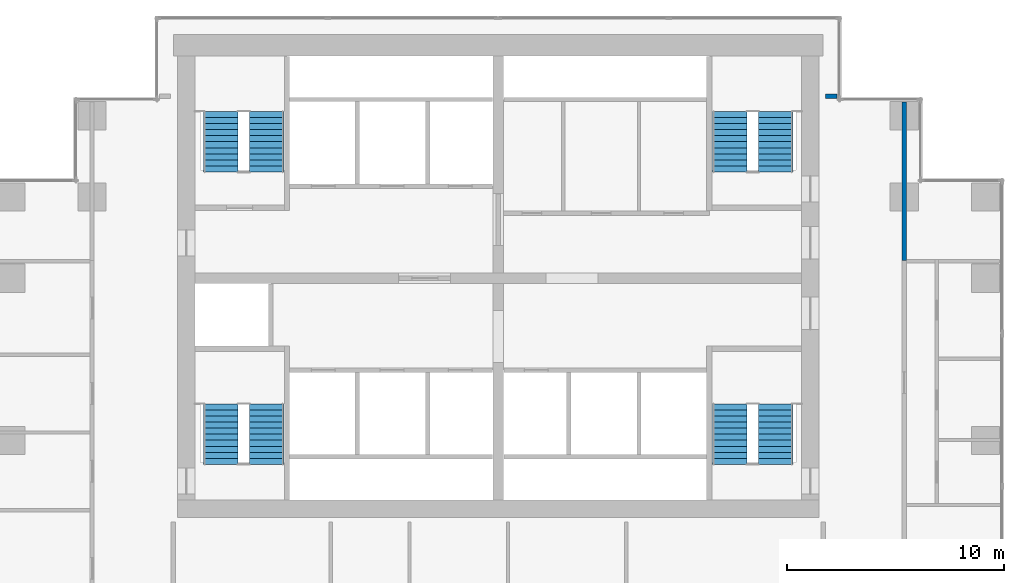
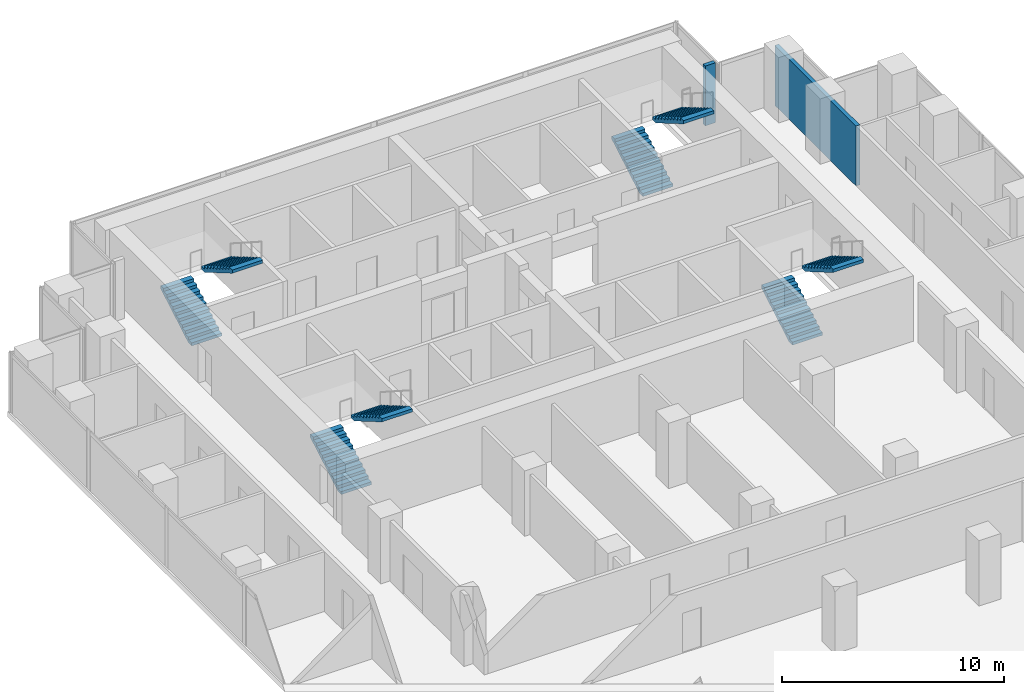
# One storey, part 9 of 10: 8 stair flights, 2 walls, 4 elements without a shape of their own.
"""IFC4 building model written with IfcOpenShell, lengths in metres."""

from ifc_helpers import new_model, si_unit, direction, frame, frame_2d, origin, place, context, subcontext, project, spatial, polyline, rectangle, outline, extrude, material, layer, layer_set, type_object, element, aggregate, save


model = new_model("IFC4")

# Units and contexts
model_context = context("Model", 3, precision=1e-05, world=origin(), true_north=direction((0.0, 1.0)))
body_context = subcontext(model_context, "Body", "Model", "MODEL_VIEW")
ifc_project = project(units=[si_unit("LENGTHUNIT", "METRE"), si_unit("AREAUNIT", "SQUARE_METRE"), si_unit("VOLUMEUNIT", "CUBIC_METRE"), si_unit("PLANEANGLEUNIT", "RADIAN"), si_unit("MASSUNIT", "GRAM", prefix="KILO")], contexts=[model_context])

# Site, building, storey
site_placement = place(None, origin())
site = spatial("IfcSite", under=ifc_project, at=site_placement, CompositionType="ELEMENT")
building_placement = place(site_placement, origin())
building = spatial("IfcBuilding", under=site, at=building_placement, Name="Pilkhan Gate Tower", CompositionType="ELEMENT")
storey_placement = place(building_placement, frame((0.0, 0.0, 132.39990234375)))
storey = spatial("IfcBuildingStorey", under=building, at=storey_placement, Name="L33", CompositionType="ELEMENT", Elevation=132.39990234375)

# Walls
ifc_material_1 = material(Name="Dense blockwork", Category="masonry")
ifc_layer = layer(ifc_material_1, 0.199951171875)
ifc_layer_set = layer_set([ifc_layer], Name="Corridor wall FW200")
wall_type = type_object("IfcWallType", Name="Corridor wall FW200", PredefinedType="PARTITIONING", material=ifc_layer_set)
wall_1_placement = place(storey_placement, frame((90.1201171875, 90.89990234375, 0.0), z_axis=(0.0, 0.0, 1.0), x_axis=(1.0, 0.0, 0.0)))
element("IfcWall", 1, at=wall_1_placement, inside=storey, type_object=wall_type, Name="Partition L33", PredefinedType="PARTITIONING", context=body_context, shape_type="SweptSolid", body=[
    extrude(rectangle(XDim=0.52490234375, YDim=0.199951171875, at=frame_2d((0.262451171875, 0.0))), origin(), (0.0, 0.0, 1.0), 3.300048828125),
])
wall_2_placement = place(storey_placement, frame((93.75, 83.31005859375, 0.0), z_axis=(0.0, 0.0, 1.0), x_axis=(0.0, 1.0, 0.0)))
element("IfcWall", 2, at=wall_2_placement, inside=storey, type_object=wall_type, Name="Partition L33", PredefinedType="PARTITIONING", context=body_context, shape_type="SweptSolid", body=[
    extrude(rectangle(XDim=7.3349609375, YDim=0.199951171875, at=frame_2d((3.66748046875, 0.0))), origin(), (0.0, 0.0, 1.0), 3.300048828125),
])

# Stair, stair flights
ifc_material_2 = material(Name="Concrete C40/50 precast", Category="concrete")
stair_type_1 = type_object("IfcStairType", Name="Stair ST1 164x280", PredefinedType="HALF_TURN_STAIR", material=ifc_material_2)
stair_1_placement = place(storey_placement, origin())
stair_1 = element("IfcStair", 3, at=stair_1_placement, inside=storey, type_object=stair_type_1, Name="Stair ST1 L33", PredefinedType="HALF_TURN_STAIR")
stair_flight_type_1 = type_object("IfcStairFlightType", Name="Stair flight ST1 164x280x11", PredefinedType="STRAIGHT", material=ifc_material_2)
stair_flight_1_placement = place(storey_placement, frame((85.68994140625, 73.89990234375, 0.0), z_axis=(0.0, 0.0, 1.0), x_axis=(0.0, 1.0, 0.0)))
stair_flight_1 = element("IfcStairFlight", 4, at=stair_flight_1_placement, type_object=stair_flight_type_1, Name="ST1 flight 1", NumberOfRisers=11, NumberOfTreads=10, PredefinedType="STRAIGHT", RiserHeight=0.163636364, TreadLength=0.28, context=body_context, shape_type="SweptSolid", body=[
    extrude(outline(polyline([(0.0, 0.0), (0.0, 0.16357421875), (0.280029296875, 0.16357421875), (0.280029296875, 0.327392578125), (0.56005859375, 0.327392578125), (0.56005859375, 0.490966796875), (0.840087890625, 0.490966796875), (0.840087890625, 0.654541015625), (1.1201171875, 0.654541015625), (1.1201171875, 0.818115234375), (1.39990234375, 0.818115234375), (1.39990234375, 0.98193359375), (1.679931640625, 0.98193359375), (1.679931640625, 1.1455078125), (1.9599609375, 1.1455078125), (1.9599609375, 1.30908203125), (2.239990234375, 1.30908203125), (2.239990234375, 1.47265625), (2.52001953125, 1.47265625), (2.52001953125, 1.636474609375), (2.800048828125, 1.636474609375), (2.800048828125, 1.800048828125), (2.800048828125, 1.462646484375), (0.297119140625, 0.0), (0.0, 0.0)])), frame((0.0, 0.7900390625, 0.0), z_axis=(0.0, -1.0, 0.0), x_axis=(1.0, 0.0, 0.0)), (0.0, 0.0, 1.0), 1.580078125),
])
stair_flight_2_placement = place(storey_placement, frame((87.81005859375, 76.699951171875, 1.800048828125), z_axis=(0.0, 0.0, 1.0), x_axis=(0.0, -1.0, 0.0)))
stair_flight_2 = element("IfcStairFlight", 5, at=stair_flight_2_placement, type_object=stair_flight_type_1, Name="ST1 flight 2", NumberOfRisers=11, NumberOfTreads=10, PredefinedType="STRAIGHT", RiserHeight=0.163636364, TreadLength=0.28, context=body_context, shape_type="SweptSolid", body=[
    extrude(outline(polyline([(0.0, 0.0), (0.0, 0.16357421875), (0.280029296875, 0.16357421875), (0.280029296875, 0.327392578125), (0.56005859375, 0.327392578125), (0.56005859375, 0.490966796875), (0.840087890625, 0.490966796875), (0.840087890625, 0.654541015625), (1.1201171875, 0.654541015625), (1.1201171875, 0.818115234375), (1.39990234375, 0.818115234375), (1.39990234375, 0.98193359375), (1.679931640625, 0.98193359375), (1.679931640625, 1.1455078125), (1.9599609375, 1.1455078125), (1.9599609375, 1.30908203125), (2.239990234375, 1.30908203125), (2.239990234375, 1.47265625), (2.52001953125, 1.47265625), (2.52001953125, 1.636474609375), (2.800048828125, 1.636474609375), (2.800048828125, 1.800048828125), (2.800048828125, 1.462646484375), (0.297119140625, 0.0), (0.0, 0.0)])), frame((0.0, 0.7900390625, 0.0), z_axis=(0.0, -1.0, 0.0), x_axis=(1.0, 0.0, 0.0)), (0.0, 0.0, 1.0), 1.580078125),
])
aggregate(stair_1, [stair_flight_1, stair_flight_2])

stair_type_2 = type_object("IfcStairType", Name="Stair ST2 164x280", PredefinedType="HALF_TURN_STAIR", material=ifc_material_2)
stair_2_placement = place(storey_placement, origin())
stair_2 = element("IfcStair", 6, at=stair_2_placement, inside=storey, type_object=stair_type_2, Name="Stair ST2 L33", PredefinedType="HALF_TURN_STAIR")
stair_flight_type_2 = type_object("IfcStairFlightType", Name="Stair flight ST2 164x280x11", PredefinedType="STRAIGHT", material=ifc_material_2)
stair_flight_3_placement = place(storey_placement, frame((62.18994140625, 73.89990234375, 0.0), z_axis=(0.0, 0.0, 1.0), x_axis=(0.0, 1.0, 0.0)))
stair_flight_3 = element("IfcStairFlight", 7, at=stair_flight_3_placement, type_object=stair_flight_type_2, Name="ST2 flight 1", NumberOfRisers=11, NumberOfTreads=10, PredefinedType="STRAIGHT", RiserHeight=0.163636364, TreadLength=0.28, context=body_context, shape_type="SweptSolid", body=[
    extrude(outline(polyline([(0.0, 0.0), (0.0, 0.16357421875), (0.280029296875, 0.16357421875), (0.280029296875, 0.327392578125), (0.56005859375, 0.327392578125), (0.56005859375, 0.490966796875), (0.840087890625, 0.490966796875), (0.840087890625, 0.654541015625), (1.1201171875, 0.654541015625), (1.1201171875, 0.818115234375), (1.39990234375, 0.818115234375), (1.39990234375, 0.98193359375), (1.679931640625, 0.98193359375), (1.679931640625, 1.1455078125), (1.9599609375, 1.1455078125), (1.9599609375, 1.30908203125), (2.239990234375, 1.30908203125), (2.239990234375, 1.47265625), (2.52001953125, 1.47265625), (2.52001953125, 1.636474609375), (2.800048828125, 1.636474609375), (2.800048828125, 1.800048828125), (2.800048828125, 1.462646484375), (0.297119140625, 0.0), (0.0, 0.0)])), frame((0.0, 0.7900390625, 0.0), z_axis=(0.0, -1.0, 0.0), x_axis=(1.0, 0.0, 0.0)), (0.0, 0.0, 1.0), 1.580078125),
])
stair_flight_4_placement = place(storey_placement, frame((64.31005859375, 76.699951171875, 1.800048828125), z_axis=(0.0, 0.0, 1.0), x_axis=(0.0, -1.0, 0.0)))
stair_flight_4 = element("IfcStairFlight", 8, at=stair_flight_4_placement, type_object=stair_flight_type_2, Name="ST2 flight 2", NumberOfRisers=11, NumberOfTreads=10, PredefinedType="STRAIGHT", RiserHeight=0.163636364, TreadLength=0.28, context=body_context, shape_type="SweptSolid", body=[
    extrude(outline(polyline([(0.0, 0.0), (0.0, 0.16357421875), (0.280029296875, 0.16357421875), (0.280029296875, 0.327392578125), (0.56005859375, 0.327392578125), (0.56005859375, 0.490966796875), (0.840087890625, 0.490966796875), (0.840087890625, 0.654541015625), (1.1201171875, 0.654541015625), (1.1201171875, 0.818115234375), (1.39990234375, 0.818115234375), (1.39990234375, 0.98193359375), (1.679931640625, 0.98193359375), (1.679931640625, 1.1455078125), (1.9599609375, 1.1455078125), (1.9599609375, 1.30908203125), (2.239990234375, 1.30908203125), (2.239990234375, 1.47265625), (2.52001953125, 1.47265625), (2.52001953125, 1.636474609375), (2.800048828125, 1.636474609375), (2.800048828125, 1.800048828125), (2.800048828125, 1.462646484375), (0.297119140625, 0.0), (0.0, 0.0)])), frame((0.0, 0.7900390625, 0.0), z_axis=(0.0, -1.0, 0.0), x_axis=(1.0, 0.0, 0.0)), (0.0, 0.0, 1.0), 1.580078125),
])
aggregate(stair_2, [stair_flight_3, stair_flight_4])

stair_type_3 = type_object("IfcStairType", Name="Stair ST3 164x280", PredefinedType="HALF_TURN_STAIR", material=ifc_material_2)
stair_3_placement = place(storey_placement, origin())
stair_3 = element("IfcStair", 9, at=stair_3_placement, inside=storey, type_object=stair_type_3, Name="Stair ST3 L33", PredefinedType="HALF_TURN_STAIR")
stair_flight_type_3 = type_object("IfcStairFlightType", Name="Stair flight ST3 164x280x11", PredefinedType="STRAIGHT", material=ifc_material_2)
stair_flight_5_placement = place(storey_placement, frame((62.18994140625, 87.39990234375, 0.0), z_axis=(0.0, 0.0, 1.0), x_axis=(0.0, 1.0, 0.0)))
stair_flight_5 = element("IfcStairFlight", 10, at=stair_flight_5_placement, type_object=stair_flight_type_3, Name="ST3 flight 1", NumberOfRisers=11, NumberOfTreads=10, PredefinedType="STRAIGHT", RiserHeight=0.163636364, TreadLength=0.28, context=body_context, shape_type="SweptSolid", body=[
    extrude(outline(polyline([(0.0, 0.0), (0.0, 0.16357421875), (0.280029296875, 0.16357421875), (0.280029296875, 0.327392578125), (0.56005859375, 0.327392578125), (0.56005859375, 0.490966796875), (0.840087890625, 0.490966796875), (0.840087890625, 0.654541015625), (1.1201171875, 0.654541015625), (1.1201171875, 0.818115234375), (1.39990234375, 0.818115234375), (1.39990234375, 0.98193359375), (1.679931640625, 0.98193359375), (1.679931640625, 1.1455078125), (1.9599609375, 1.1455078125), (1.9599609375, 1.30908203125), (2.239990234375, 1.30908203125), (2.239990234375, 1.47265625), (2.52001953125, 1.47265625), (2.52001953125, 1.636474609375), (2.800048828125, 1.636474609375), (2.800048828125, 1.800048828125), (2.800048828125, 1.462646484375), (0.297119140625, 0.0), (0.0, 0.0)])), frame((0.0, 0.7900390625, 0.0), z_axis=(0.0, -1.0, 0.0), x_axis=(1.0, 0.0, 0.0)), (0.0, 0.0, 1.0), 1.580078125),
])
stair_flight_6_placement = place(storey_placement, frame((64.31005859375, 90.199951171875, 1.800048828125), z_axis=(0.0, 0.0, 1.0), x_axis=(0.0, -1.0, 0.0)))
stair_flight_6 = element("IfcStairFlight", 11, at=stair_flight_6_placement, type_object=stair_flight_type_3, Name="ST3 flight 2", NumberOfRisers=11, NumberOfTreads=10, PredefinedType="STRAIGHT", RiserHeight=0.163636364, TreadLength=0.28, context=body_context, shape_type="SweptSolid", body=[
    extrude(outline(polyline([(0.0, 0.0), (0.0, 0.16357421875), (0.280029296875, 0.16357421875), (0.280029296875, 0.327392578125), (0.56005859375, 0.327392578125), (0.56005859375, 0.490966796875), (0.840087890625, 0.490966796875), (0.840087890625, 0.654541015625), (1.1201171875, 0.654541015625), (1.1201171875, 0.818115234375), (1.39990234375, 0.818115234375), (1.39990234375, 0.98193359375), (1.679931640625, 0.98193359375), (1.679931640625, 1.1455078125), (1.9599609375, 1.1455078125), (1.9599609375, 1.30908203125), (2.239990234375, 1.30908203125), (2.239990234375, 1.47265625), (2.52001953125, 1.47265625), (2.52001953125, 1.636474609375), (2.800048828125, 1.636474609375), (2.800048828125, 1.800048828125), (2.800048828125, 1.462646484375), (0.297119140625, 0.0), (0.0, 0.0)])), frame((0.0, 0.7900390625, 0.0), z_axis=(0.0, -1.0, 0.0), x_axis=(1.0, 0.0, 0.0)), (0.0, 0.0, 1.0), 1.580078125),
])
aggregate(stair_3, [stair_flight_5, stair_flight_6])

stair_type_4 = type_object("IfcStairType", Name="Stair ST4 164x280", PredefinedType="HALF_TURN_STAIR", material=ifc_material_2)
stair_4_placement = place(storey_placement, origin())
stair_4 = element("IfcStair", 12, at=stair_4_placement, inside=storey, type_object=stair_type_4, Name="Stair ST4 L33", PredefinedType="HALF_TURN_STAIR")
stair_flight_type_4 = type_object("IfcStairFlightType", Name="Stair flight ST4 164x280x11", PredefinedType="STRAIGHT", material=ifc_material_2)
stair_flight_7_placement = place(storey_placement, frame((85.68994140625, 87.39990234375, 0.0), z_axis=(0.0, 0.0, 1.0), x_axis=(0.0, 1.0, 0.0)))
stair_flight_7 = element("IfcStairFlight", 13, at=stair_flight_7_placement, type_object=stair_flight_type_4, Name="ST4 flight 1", NumberOfRisers=11, NumberOfTreads=10, PredefinedType="STRAIGHT", RiserHeight=0.163636364, TreadLength=0.28, context=body_context, shape_type="SweptSolid", body=[
    extrude(outline(polyline([(0.0, 0.0), (0.0, 0.16357421875), (0.280029296875, 0.16357421875), (0.280029296875, 0.327392578125), (0.56005859375, 0.327392578125), (0.56005859375, 0.490966796875), (0.840087890625, 0.490966796875), (0.840087890625, 0.654541015625), (1.1201171875, 0.654541015625), (1.1201171875, 0.818115234375), (1.39990234375, 0.818115234375), (1.39990234375, 0.98193359375), (1.679931640625, 0.98193359375), (1.679931640625, 1.1455078125), (1.9599609375, 1.1455078125), (1.9599609375, 1.30908203125), (2.239990234375, 1.30908203125), (2.239990234375, 1.47265625), (2.52001953125, 1.47265625), (2.52001953125, 1.636474609375), (2.800048828125, 1.636474609375), (2.800048828125, 1.800048828125), (2.800048828125, 1.462646484375), (0.297119140625, 0.0), (0.0, 0.0)])), frame((0.0, 0.7900390625, 0.0), z_axis=(0.0, -1.0, 0.0), x_axis=(1.0, 0.0, 0.0)), (0.0, 0.0, 1.0), 1.580078125),
])
stair_flight_8_placement = place(storey_placement, frame((87.81005859375, 90.199951171875, 1.800048828125), z_axis=(0.0, 0.0, 1.0), x_axis=(0.0, -1.0, 0.0)))
stair_flight_8 = element("IfcStairFlight", 14, at=stair_flight_8_placement, type_object=stair_flight_type_4, Name="ST4 flight 2", NumberOfRisers=11, NumberOfTreads=10, PredefinedType="STRAIGHT", RiserHeight=0.163636364, TreadLength=0.28, context=body_context, shape_type="SweptSolid", body=[
    extrude(outline(polyline([(0.0, 0.0), (0.0, 0.16357421875), (0.280029296875, 0.16357421875), (0.280029296875, 0.327392578125), (0.56005859375, 0.327392578125), (0.56005859375, 0.490966796875), (0.840087890625, 0.490966796875), (0.840087890625, 0.654541015625), (1.1201171875, 0.654541015625), (1.1201171875, 0.818115234375), (1.39990234375, 0.818115234375), (1.39990234375, 0.98193359375), (1.679931640625, 0.98193359375), (1.679931640625, 1.1455078125), (1.9599609375, 1.1455078125), (1.9599609375, 1.30908203125), (2.239990234375, 1.30908203125), (2.239990234375, 1.47265625), (2.52001953125, 1.47265625), (2.52001953125, 1.636474609375), (2.800048828125, 1.636474609375), (2.800048828125, 1.800048828125), (2.800048828125, 1.462646484375), (0.297119140625, 0.0), (0.0, 0.0)])), frame((0.0, 0.7900390625, 0.0), z_axis=(0.0, -1.0, 0.0), x_axis=(1.0, 0.0, 0.0)), (0.0, 0.0, 1.0), 1.580078125),
])
aggregate(stair_4, [stair_flight_7, stair_flight_8])

save(model, "model.ifc")
